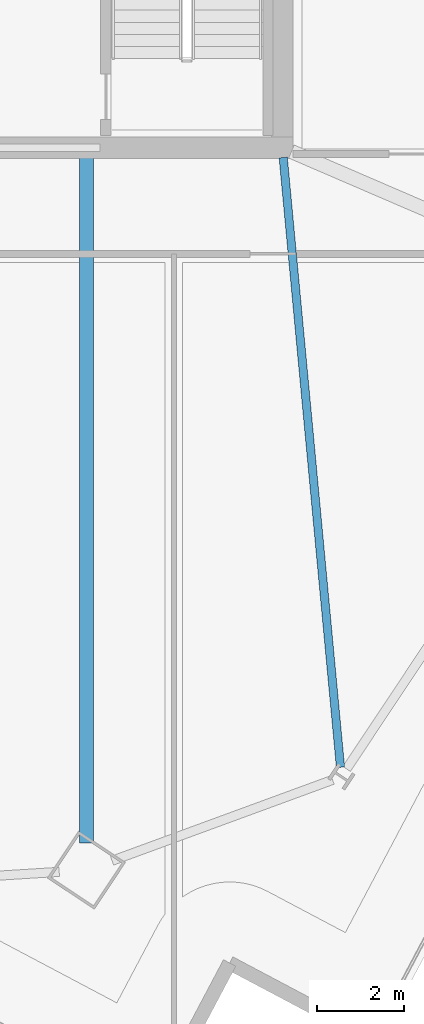
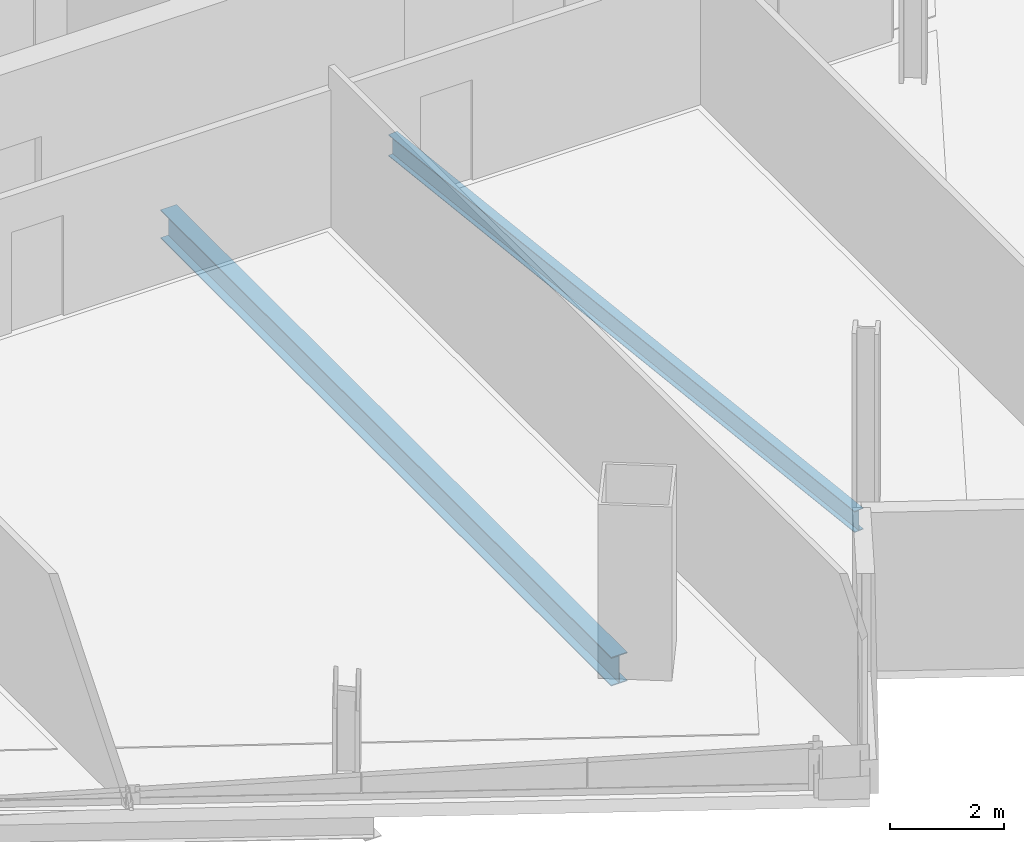
# One storey, part 9 of 28: 2 beams.
"""IFC4 building model written with IfcOpenShell, lengths in metres."""

import ifcopenshell
import ifcopenshell.guid

model = None  # the IFC model being written
_history = None  # IfcOwnerHistory: only IFC2X3 demands one
_inside = {}  # id of a spatial element -> (the spatial element, [elements in it])
_under = {}  # id of a project, library or spatial element -> (it, [spatial elements below it])
_declared = {}  # id of a project -> (the project, [libraries it declares])
_typed = {}  # id of a type object -> (the type object, [elements of that type])
_made_of = {}  # id of a material, layer set ... -> (it, [elements and type objects made of it])


def new_model(schema):
    """Start an empty IFC model of exactly this schema.

    Asked for "IFC4X3", IfcOpenShell would pick the latest addendum, in which some entities
    have other attributes; the version numbers below select the first issue.
    IFC2X3 requires an IfcOwnerHistory on every rooted entity: one is made here for all.
    """
    global model, _history
    if schema == "IFC4X3":
        model = ifcopenshell.file(schema_version=(4, 3, 0, 0))
    else:
        model = ifcopenshell.file(schema=schema)
    _inside.clear()
    _under.clear()
    _declared.clear()
    _typed.clear()
    _made_of.clear()
    _history = None
    if model.schema == "IFC2X3":
        org = make("IfcOrganization", Name="unknown")
        user = make(
            "IfcPersonAndOrganization",
            ThePerson=make("IfcPerson", FamilyName="unknown"),
            TheOrganization=org,
        )
        app = make(
            "IfcApplication",
            ApplicationDeveloper=org,
            Version="unknown",
            ApplicationFullName="unknown",
            ApplicationIdentifier="unknown",
        )
        _history = make(
            "IfcOwnerHistory",
            OwningUser=user,
            OwningApplication=app,
            ChangeAction="ADDED",
            CreationDate=0,
        )
    return model


def make(cls, **values):
    """One entity of the class cls with the attributes given. An attribute that is None is left unset."""
    return model.create_entity(
        cls, **{name: value for name, value in values.items() if value is not None}
    )


def rooted(cls, **values):
    """An entity with a GlobalId (a new one), such as an element, a storey or a relation."""
    return make(cls, GlobalId=ifcopenshell.guid.new(), OwnerHistory=_history, **values)


def si_unit(unit_type, name, prefix=None):
    """IfcSIUnit, for example si_unit("LENGTHUNIT", "METRE", prefix="MILLI")."""
    return make("IfcSIUnit", UnitType=unit_type, Prefix=prefix, Name=name)


def assignment(units):
    """IfcUnitAssignment: the units of a project."""
    return None if units is None else make("IfcUnitAssignment", Units=units)


def point(xyz):
    """IfcCartesianPoint."""
    return None if xyz is None else make("IfcCartesianPoint", Coordinates=xyz)


def direction(xyz):
    """IfcDirection."""
    return None if xyz is None else make("IfcDirection", DirectionRatios=xyz)


def frame(location, z_axis=None, x_axis=None):
    """IfcAxis2Placement3D, a coordinate frame: its origin and axes. An axis left out is left unset."""
    return make(
        "IfcAxis2Placement3D",
        Location=point(location),
        Axis=direction(z_axis),
        RefDirection=direction(x_axis),
    )


def frame_2d(location, x_axis=None):
    """IfcAxis2Placement2D, a coordinate frame in the plane: its origin and x axis."""
    return make(
        "IfcAxis2Placement2D", Location=point(location), RefDirection=direction(x_axis)
    )


def origin():
    """The frame at (0, 0, 0) with its axes left unset."""
    return frame((0.0, 0.0, 0.0))


def origin_2d():
    """The frame at (0, 0) in the plane with its x axis left unset."""
    return frame_2d((0.0, 0.0))


def place(relative_to, where):
    """IfcLocalPlacement: puts the frame where relative to a parent placement (None: the world)."""
    return make(
        "IfcLocalPlacement", PlacementRelTo=relative_to, RelativePlacement=where
    )


def context(
    kind, dimensions, precision=None, world=None, true_north=None, identifier=None
):
    """IfcGeometricRepresentationContext, for example the 3D "Model" context."""
    return make(
        "IfcGeometricRepresentationContext",
        ContextIdentifier=identifier,
        ContextType=kind,
        CoordinateSpaceDimension=dimensions,
        Precision=precision,
        WorldCoordinateSystem=world,
        TrueNorth=true_north,
    )


def subcontext(parent, identifier, kind, view, scale=None):
    """IfcGeometricRepresentationSubContext, for example "Body" below "Model"."""
    return make(
        "IfcGeometricRepresentationSubContext",
        ContextIdentifier=identifier,
        ContextType=kind,
        ParentContext=parent,
        TargetScale=scale,
        TargetView=view,
    )


def project(units=None, contexts=None):
    """IfcProject with its units and contexts."""
    return rooted(
        "IfcProject",
        Name="project",
        RepresentationContexts=contexts,
        UnitsInContext=assignment(units),
    )


def spatial(cls, under=None, at=None, **own):
    """A site, building, storey or space (cls), placed at a placement, below another one or the project."""
    s = rooted(cls, ObjectPlacement=at, **own)
    if under is not None:
        _under.setdefault(under.id(), (under, []))[1].append(s)
    return s


def profile(cls, at=None, kind="AREA", **sizes):
    """A parametric profile (cls). Its sizes go by their IFC names, for example OverallWidth=200.0."""
    return make(cls, ProfileType=kind, Position=at, **sizes)


def i_section(**sizes):
    """IfcIShapeProfileDef."""
    return profile("IfcIShapeProfileDef", **sizes)


def extrude(swept, where, along, depth):
    """IfcExtrudedAreaSolid: the profile swept, set in the frame where, extruded along a direction by depth."""
    return make(
        "IfcExtrudedAreaSolid",
        SweptArea=swept,
        Position=where,
        ExtrudedDirection=direction(along),
        Depth=depth,
    )


def shape(context_of_items, identifier, shape_type, items):
    """IfcShapeRepresentation: the items that make up one representation, for example the "Body"."""
    return make(
        "IfcShapeRepresentation",
        ContextOfItems=context_of_items,
        RepresentationIdentifier=identifier,
        RepresentationType=shape_type,
        Items=items,
    )


def material(Name=None, Category=None):
    """IfcMaterial."""
    return make("IfcMaterial", Name=Name, Category=Category)


def material_profile(
    of_material, cross_section, Name=None, Category=None, Priority=None
):
    """IfcMaterialProfile: a cross section and its material."""
    return make(
        "IfcMaterialProfile",
        Name=Name,
        Material=of_material,
        Profile=cross_section,
        Priority=Priority,
        Category=Category,
    )


def profile_set(profiles, Name=None, composite=None):
    """IfcMaterialProfileSet."""
    return make(
        "IfcMaterialProfileSet",
        Name=Name,
        MaterialProfiles=profiles,
        CompositeProfile=composite,
    )


def made_of(thing, what):
    """Note that an element or type object is made of a material, layer set ...; save() writes the relation."""
    if what is not None:
        _made_of.setdefault(what.id(), (what, []))[1].append(thing)
    return thing


def type_object(cls, material=None, **own):
    """A type object (cls), such as IfcWallType, which elements share."""
    return made_of(rooted(cls, **own), material)


def element(
    cls,
    number,
    at=None,
    inside=None,
    cuts=None,
    type_object=None,
    material=None,
    context=None,
    identifier="Body",
    shape_type=None,
    held_by="IfcProductDefinitionShape",
    body=None,
    shapes=None,
    **own,
):
    """One element of the class cls, such as IfcWall. Its Tag is "e" and its number.

    at: its placement. inside: the storey or other place that contains it. cuts: it is an
    opening in that element (IfcRelVoidsElement). A single representation is given by context,
    identifier, shape_type and body (its items); several are given by shapes. held_by: the class
    of the entity that holds the representations. save() writes the other relations.
    """
    e = rooted(cls, Tag="e%d" % number, ObjectPlacement=at, **own)
    if body is not None:
        shapes = [shape(context, identifier, shape_type, body)]
    if shapes is not None:
        e.Representation = make(held_by, Representations=shapes)
    if inside is not None:
        _inside.setdefault(inside.id(), (inside, []))[1].append(e)
    if cuts is not None:
        rooted(
            "IfcRelVoidsElement", RelatingBuildingElement=cuts, RelatedOpeningElement=e
        )
    if type_object is not None:
        _typed.setdefault(type_object.id(), (type_object, []))[1].append(e)
    return made_of(e, material)


def aggregate(whole, parts):
    """IfcRelAggregates: a whole, such as a stair, and the parts it consists of."""
    return rooted("IfcRelAggregates", RelatingObject=whole, RelatedObjects=parts)


def save(model, path):
    """Write the relations noted so far, then the file.

    IfcRelAggregates (storeys below a building ...), IfcRelContainedInSpatialStructure (elements
    in a storey), IfcRelDefinesByType, IfcRelAssociatesMaterial and IfcRelDeclares: one each for
    every whole, place, type object, material and project.
    """
    for whole, parts in _under.values():
        aggregate(whole, parts)
    for where, things in _inside.values():
        rooted(
            "IfcRelContainedInSpatialStructure",
            RelatedElements=things,
            RelatingStructure=where,
        )
    for kind, things in _typed.values():
        rooted("IfcRelDefinesByType", RelatedObjects=things, RelatingType=kind)
    for what, things in _made_of.values():
        rooted("IfcRelAssociatesMaterial", RelatedObjects=things, RelatingMaterial=what)
    for by, libraries in _declared.values():
        rooted("IfcRelDeclares", RelatingContext=by, RelatedDefinitions=libraries)
    model.write(path)


model = new_model("IFC4")

# Units and contexts
model_context = context("Model", 3, precision=1e-05, world=origin(), true_north=direction((0.0, 1.0)))
body_context = subcontext(model_context, "Body", "Model", "MODEL_VIEW")
ifc_project = project(units=[si_unit("LENGTHUNIT", "METRE"), si_unit("AREAUNIT", "SQUARE_METRE"), si_unit("VOLUMEUNIT", "CUBIC_METRE"), si_unit("PLANEANGLEUNIT", "RADIAN"), si_unit("MASSUNIT", "GRAM", prefix="KILO")], contexts=[model_context])

# Site, building, storey
site_placement = place(None, origin())
site = spatial("IfcSite", under=ifc_project, at=site_placement, CompositionType="ELEMENT")
building_placement = place(site_placement, origin())
building = spatial("IfcBuilding", under=site, at=building_placement, Name="Haldenkirk Collegiate Tower", CompositionType="ELEMENT")
storey_placement = place(building_placement, frame((0.0, 0.0, 235.949951171875)))
storey = spatial("IfcBuildingStorey", under=building, at=storey_placement, Name="L59", CompositionType="ELEMENT", Elevation=235.949951171875)

# Beams
ifc_material = material(Name="Steel ASTM A992 Grade 50", Category="steel")
ifc_material_profile_1 = material_profile(ifc_material, i_section(OverallWidth=0.324951171875, OverallDepth=0.615966796875, WebThickness=0.013916015625, FlangeThickness=0.021484375, at=origin_2d()), Name="W24X117")
ifc_profile_set_1 = profile_set([ifc_material_profile_1], Name="Steel ASTM A992 Grade 50")
beam_type_1 = type_object("IfcBeamType", Name="BM-GIRDER-W24X117", PredefinedType="BEAM", material=ifc_profile_set_1)
beam_1_placement = place(storey_placement, frame((40.482666015625, 1.962890625, -0.587890625), z_axis=(0.0, 1.0, 0.0), x_axis=(-1.0, 0.0, 0.0)))
element("IfcBeam", 1, at=beam_1_placement, inside=storey, type_object=beam_type_1, Name="L59 primary floor girder 01", PredefinedType="BEAM", context=body_context, shape_type="SweptSolid", body=[
    extrude(i_section(OverallWidth=0.324951171875, OverallDepth=0.615966796875, WebThickness=0.013916015625, FlangeThickness=0.021484375, at=origin_2d()), origin(), (0.0, 0.0, 1.0), 15.80712890625),
])
ifc_material_profile_2 = material_profile(ifc_material, i_section(OverallWidth=0.18994140625, OverallDepth=0.45703125, WebThickness=0.009033203125, FlangeThickness=0.014404296875, at=origin_2d()), Name="W18X50")
ifc_profile_set_2 = profile_set([ifc_material_profile_2], Name="Steel ASTM A992 Grade 50")
beam_type_2 = type_object("IfcBeamType", Name="BM-JOIST-W18X50", PredefinedType="JOIST", material=ifc_profile_set_2)
beam_2_placement = place(storey_placement, frame((46.3427734375, 3.705810546875, -0.508544921875), z_axis=(-0.093528614258, 0.995616592025, 0.0), x_axis=(-0.995616592025, -0.093528614258, 0.0)))
element("IfcBeam", 2, at=beam_2_placement, inside=storey, type_object=beam_type_2, Name="L59 composite floor joist 05", PredefinedType="JOIST", context=body_context, shape_type="SweptSolid", body=[
    extrude(i_section(OverallWidth=0.18994140625, OverallDepth=0.45703125, WebThickness=0.009033203125, FlangeThickness=0.014404296875, at=origin_2d()), origin(), (0.0, 0.0, 1.0), 14.127197265625),
])

save(model, "model.ifc")
